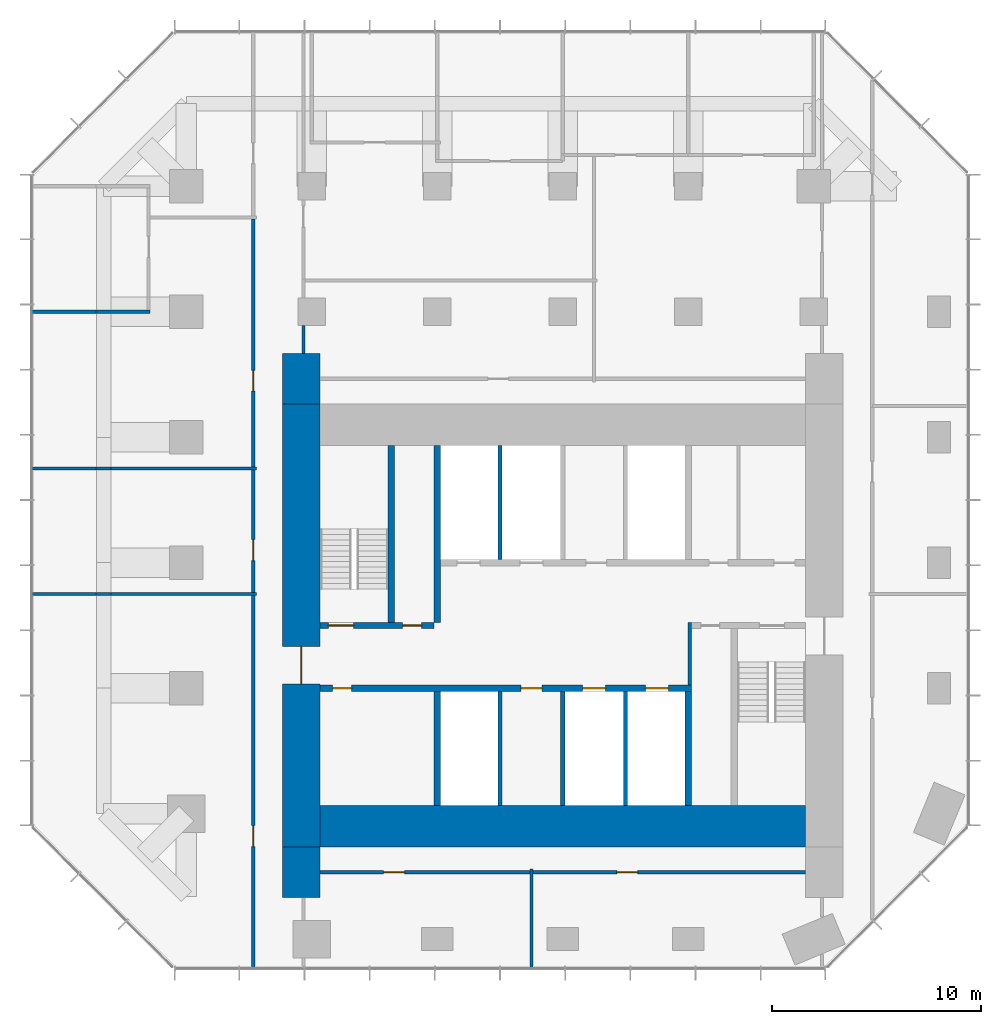
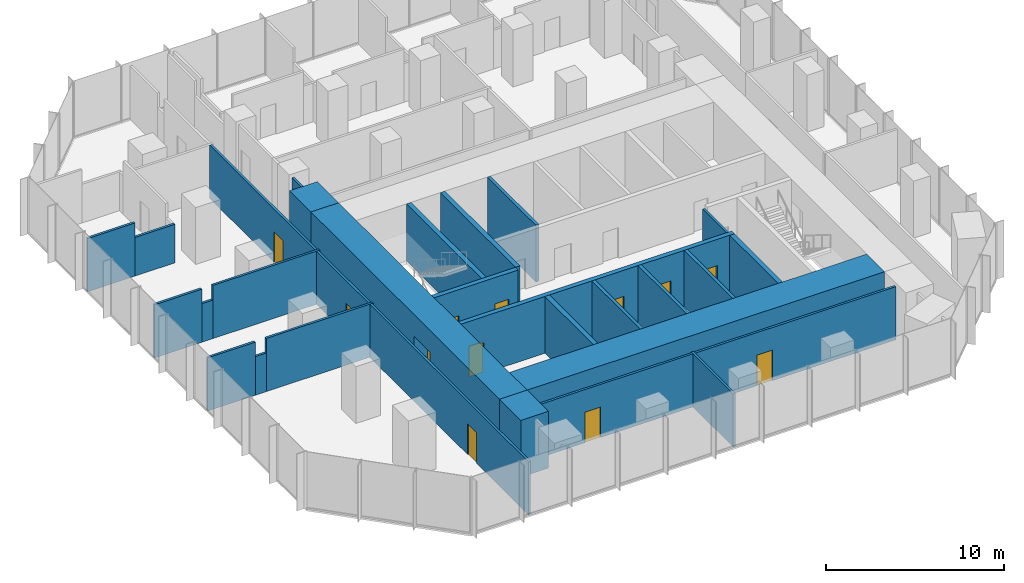
# One storey, part 8 of 11: 30 walls, 12 doors, 12 openings.
"""IFC4 building model written with IfcOpenShell, lengths in metres."""

import ifcopenshell
import ifcopenshell.guid

model = None  # the IFC model being written
_history = None  # IfcOwnerHistory: only IFC2X3 demands one
_inside = {}  # id of a spatial element -> (the spatial element, [elements in it])
_under = {}  # id of a project, library or spatial element -> (it, [spatial elements below it])
_declared = {}  # id of a project -> (the project, [libraries it declares])
_typed = {}  # id of a type object -> (the type object, [elements of that type])
_made_of = {}  # id of a material, layer set ... -> (it, [elements and type objects made of it])


def new_model(schema):
    """Start an empty IFC model of exactly this schema.

    Asked for "IFC4X3", IfcOpenShell would pick the latest addendum, in which some entities
    have other attributes; the version numbers below select the first issue.
    IFC2X3 requires an IfcOwnerHistory on every rooted entity: one is made here for all.
    """
    global model, _history
    if schema == "IFC4X3":
        model = ifcopenshell.file(schema_version=(4, 3, 0, 0))
    else:
        model = ifcopenshell.file(schema=schema)
    _inside.clear()
    _under.clear()
    _declared.clear()
    _typed.clear()
    _made_of.clear()
    _history = None
    if model.schema == "IFC2X3":
        org = make("IfcOrganization", Name="unknown")
        user = make(
            "IfcPersonAndOrganization",
            ThePerson=make("IfcPerson", FamilyName="unknown"),
            TheOrganization=org,
        )
        app = make(
            "IfcApplication",
            ApplicationDeveloper=org,
            Version="unknown",
            ApplicationFullName="unknown",
            ApplicationIdentifier="unknown",
        )
        _history = make(
            "IfcOwnerHistory",
            OwningUser=user,
            OwningApplication=app,
            ChangeAction="ADDED",
            CreationDate=0,
        )
    return model


def make(cls, **values):
    """One entity of the class cls with the attributes given. An attribute that is None is left unset."""
    return model.create_entity(
        cls, **{name: value for name, value in values.items() if value is not None}
    )


def rooted(cls, **values):
    """An entity with a GlobalId (a new one), such as an element, a storey or a relation."""
    return make(cls, GlobalId=ifcopenshell.guid.new(), OwnerHistory=_history, **values)


def si_unit(unit_type, name, prefix=None):
    """IfcSIUnit, for example si_unit("LENGTHUNIT", "METRE", prefix="MILLI")."""
    return make("IfcSIUnit", UnitType=unit_type, Prefix=prefix, Name=name)


def assignment(units):
    """IfcUnitAssignment: the units of a project."""
    return None if units is None else make("IfcUnitAssignment", Units=units)


def point(xyz):
    """IfcCartesianPoint."""
    return None if xyz is None else make("IfcCartesianPoint", Coordinates=xyz)


def direction(xyz):
    """IfcDirection."""
    return None if xyz is None else make("IfcDirection", DirectionRatios=xyz)


def frame(location, z_axis=None, x_axis=None):
    """IfcAxis2Placement3D, a coordinate frame: its origin and axes. An axis left out is left unset."""
    return make(
        "IfcAxis2Placement3D",
        Location=point(location),
        Axis=direction(z_axis),
        RefDirection=direction(x_axis),
    )


def frame_2d(location, x_axis=None):
    """IfcAxis2Placement2D, a coordinate frame in the plane: its origin and x axis."""
    return make(
        "IfcAxis2Placement2D", Location=point(location), RefDirection=direction(x_axis)
    )


def origin():
    """The frame at (0, 0, 0) with its axes left unset."""
    return frame((0.0, 0.0, 0.0))


def place(relative_to, where):
    """IfcLocalPlacement: puts the frame where relative to a parent placement (None: the world)."""
    return make(
        "IfcLocalPlacement", PlacementRelTo=relative_to, RelativePlacement=where
    )


def context(
    kind, dimensions, precision=None, world=None, true_north=None, identifier=None
):
    """IfcGeometricRepresentationContext, for example the 3D "Model" context."""
    return make(
        "IfcGeometricRepresentationContext",
        ContextIdentifier=identifier,
        ContextType=kind,
        CoordinateSpaceDimension=dimensions,
        Precision=precision,
        WorldCoordinateSystem=world,
        TrueNorth=true_north,
    )


def subcontext(parent, identifier, kind, view, scale=None):
    """IfcGeometricRepresentationSubContext, for example "Body" below "Model"."""
    return make(
        "IfcGeometricRepresentationSubContext",
        ContextIdentifier=identifier,
        ContextType=kind,
        ParentContext=parent,
        TargetScale=scale,
        TargetView=view,
    )


def project(units=None, contexts=None):
    """IfcProject with its units and contexts."""
    return rooted(
        "IfcProject",
        Name="project",
        RepresentationContexts=contexts,
        UnitsInContext=assignment(units),
    )


def spatial(cls, under=None, at=None, **own):
    """A site, building, storey or space (cls), placed at a placement, below another one or the project."""
    s = rooted(cls, ObjectPlacement=at, **own)
    if under is not None:
        _under.setdefault(under.id(), (under, []))[1].append(s)
    return s


def profile(cls, at=None, kind="AREA", **sizes):
    """A parametric profile (cls). Its sizes go by their IFC names, for example OverallWidth=200.0."""
    return make(cls, ProfileType=kind, Position=at, **sizes)


def rectangle(**sizes):
    """IfcRectangleProfileDef."""
    return profile("IfcRectangleProfileDef", **sizes)


def extrude(swept, where, along, depth):
    """IfcExtrudedAreaSolid: the profile swept, set in the frame where, extruded along a direction by depth."""
    return make(
        "IfcExtrudedAreaSolid",
        SweptArea=swept,
        Position=where,
        ExtrudedDirection=direction(along),
        Depth=depth,
    )


def shape(context_of_items, identifier, shape_type, items):
    """IfcShapeRepresentation: the items that make up one representation, for example the "Body"."""
    return make(
        "IfcShapeRepresentation",
        ContextOfItems=context_of_items,
        RepresentationIdentifier=identifier,
        RepresentationType=shape_type,
        Items=items,
    )


def material(Name=None, Category=None):
    """IfcMaterial."""
    return make("IfcMaterial", Name=Name, Category=Category)


def layer(
    of_material, thickness, ventilated=None, Name=None, Category=None, Priority=None
):
    """IfcMaterialLayer: one layer of a wall or slab, of a material (None: an air gap)."""
    return make(
        "IfcMaterialLayer",
        Material=of_material,
        LayerThickness=thickness,
        IsVentilated=ventilated,
        Name=Name,
        Category=Category,
        Priority=Priority,
    )


def layer_set(layers, Name=None):
    """IfcMaterialLayerSet."""
    return make("IfcMaterialLayerSet", MaterialLayers=layers, LayerSetName=Name)


def made_of(thing, what):
    """Note that an element or type object is made of a material, layer set ...; save() writes the relation."""
    if what is not None:
        _made_of.setdefault(what.id(), (what, []))[1].append(thing)
    return thing


def type_object(cls, material=None, **own):
    """A type object (cls), such as IfcWallType, which elements share."""
    return made_of(rooted(cls, **own), material)


def element(
    cls,
    number,
    at=None,
    inside=None,
    cuts=None,
    type_object=None,
    material=None,
    context=None,
    identifier="Body",
    shape_type=None,
    held_by="IfcProductDefinitionShape",
    body=None,
    shapes=None,
    **own,
):
    """One element of the class cls, such as IfcWall. Its Tag is "e" and its number.

    at: its placement. inside: the storey or other place that contains it. cuts: it is an
    opening in that element (IfcRelVoidsElement). A single representation is given by context,
    identifier, shape_type and body (its items); several are given by shapes. held_by: the class
    of the entity that holds the representations. save() writes the other relations.
    """
    e = rooted(cls, Tag="e%d" % number, ObjectPlacement=at, **own)
    if body is not None:
        shapes = [shape(context, identifier, shape_type, body)]
    if shapes is not None:
        e.Representation = make(held_by, Representations=shapes)
    if inside is not None:
        _inside.setdefault(inside.id(), (inside, []))[1].append(e)
    if cuts is not None:
        rooted(
            "IfcRelVoidsElement", RelatingBuildingElement=cuts, RelatedOpeningElement=e
        )
    if type_object is not None:
        _typed.setdefault(type_object.id(), (type_object, []))[1].append(e)
    return made_of(e, material)


def fill(opening, filler):
    """IfcRelFillsElement: the door or window that sits in an opening."""
    return rooted(
        "IfcRelFillsElement",
        RelatingOpeningElement=opening,
        RelatedBuildingElement=filler,
    )


def aggregate(whole, parts):
    """IfcRelAggregates: a whole, such as a stair, and the parts it consists of."""
    return rooted("IfcRelAggregates", RelatingObject=whole, RelatedObjects=parts)


def save(model, path):
    """Write the relations noted so far, then the file.

    IfcRelAggregates (storeys below a building ...), IfcRelContainedInSpatialStructure (elements
    in a storey), IfcRelDefinesByType, IfcRelAssociatesMaterial and IfcRelDeclares: one each for
    every whole, place, type object, material and project.
    """
    for whole, parts in _under.values():
        aggregate(whole, parts)
    for where, things in _inside.values():
        rooted(
            "IfcRelContainedInSpatialStructure",
            RelatedElements=things,
            RelatingStructure=where,
        )
    for kind, things in _typed.values():
        rooted("IfcRelDefinesByType", RelatedObjects=things, RelatingType=kind)
    for what, things in _made_of.values():
        rooted("IfcRelAssociatesMaterial", RelatedObjects=things, RelatingMaterial=what)
    for by, libraries in _declared.values():
        rooted("IfcRelDeclares", RelatingContext=by, RelatedDefinitions=libraries)
    model.write(path)


model = new_model("IFC4")

# Units and contexts
model_context = context("Model", 3, precision=1e-05, world=origin(), true_north=direction((0.0, 1.0)))
body_context = subcontext(model_context, "Body", "Model", "MODEL_VIEW")
ifc_project = project(units=[si_unit("LENGTHUNIT", "METRE"), si_unit("AREAUNIT", "SQUARE_METRE"), si_unit("VOLUMEUNIT", "CUBIC_METRE"), si_unit("PLANEANGLEUNIT", "RADIAN"), si_unit("MASSUNIT", "GRAM", prefix="KILO")], contexts=[model_context])

# Site, building, storey
site_placement = place(None, origin())
site = spatial("IfcSite", under=ifc_project, at=site_placement, CompositionType="ELEMENT")
building_placement = place(site_placement, origin())
building = spatial("IfcBuilding", under=site, at=building_placement, Name="Highveld Stack Headquarters", CompositionType="ELEMENT")
storey_placement = place(building_placement, frame((0.0, 0.0, 192.800048828125)))
storey = spatial("IfcBuildingStorey", under=building, at=storey_placement, Name="L47", CompositionType="ELEMENT", Elevation=192.800048828125)

# Wall, opening, door
ifc_material_1 = material(Name="Concrete C60/75", Category="concrete")
ifc_layer_1 = layer(ifc_material_1, 1.800048828125)
ifc_layer_set_1 = layer_set([ifc_layer_1], Name="Concrete C60/75")
wall_type_1 = type_object("IfcWallType", Name="CORE WALL 1800 C60/75", PredefinedType="SHEAR", material=ifc_layer_set_1)
wall_1_placement = place(storey_placement, frame((-6.5, -7.60009765625, 0.0), z_axis=(0.0, 0.0, 1.0), x_axis=(0.0, 1.0, 0.0)))
wall_1 = element("IfcWall", 1, at=wall_1_placement, inside=storey, type_object=wall_type_1, Name="Core wall W L47", PredefinedType="SHEAR", context=body_context, shape_type="SweptSolid", body=[
    extrude(rectangle(XDim=21.2001953125, YDim=1.800048828125, at=frame_2d((10.60009765625, 0.0))), origin(), (0.0, 0.0, 1.0), 3.89990234375),
])
opening_1_placement = place(wall_1_placement, frame((7.800048828125, 0.0, 0.0)))
opening_1 = element("IfcOpeningElement", 2, at=opening_1_placement, cuts=wall_1, Name="Opening L47-01", PredefinedType="OPENING", context=body_context, shape_type="SweptSolid", body=[
    extrude(rectangle(XDim=1.800048828125, YDim=2.39990234375, at=frame_2d((0.89990234375, 1.199951171875))), frame((0.0, 0.909912109375, 0.0), z_axis=(0.0, -1.0, 0.0), x_axis=(1.0, 0.0, 0.0)), (0.0, 0.0, 1.0), 1.820068359375),
])
ifc_material_2 = material(Name="Steel fire door", Category="steel")
door_type_1 = type_object("IfcDoorType", Name="LOBBY FIRE DOOR D4 1800x2400", OperationType="DOUBLE_DOOR_SINGLE_SWING", PredefinedType="DOOR", material=ifc_material_2)
door_1_placement = place(opening_1_placement, origin())
door_1 = element("IfcDoor", 3, at=door_1_placement, inside=storey, type_object=door_type_1, Name="Core west door L47", OperationType="DOUBLE_DOOR_SINGLE_SWING", OverallHeight=2.39990234375, OverallWidth=1.800048828125, PredefinedType="DOOR", context=body_context, shape_type="SweptSolid", body=[
    extrude(rectangle(XDim=1.800048828125, YDim=2.39990234375, at=frame_2d((0.89990234375, 1.199951171875))), frame((0.0, 0.02490234375, 0.0), z_axis=(0.0, -1.0, 0.0), x_axis=(1.0, 0.0, 0.0)), (0.0, 0.0, 1.0), 0.050048828125),
])
fill(opening_1, door_1)

# Wall
ifc_material_3 = material(Name="Concrete C60/75", Category="concrete")
ifc_layer_2 = layer(ifc_material_3, 2.0)
ifc_layer_set_2 = layer_set([ifc_layer_2], Name="Concrete C60/75")
wall_type_2 = type_object("IfcWallType", Name="CORE WALL 2000 C60/75", PredefinedType="SHEAR", material=ifc_layer_set_2)
wall_2_placement = place(storey_placement, frame((-5.60009765625, -6.60009765625, 0.0), z_axis=(0.0, 0.0, 1.0), x_axis=(1.0, 0.0, 0.0)))
element("IfcWall", 4, at=wall_2_placement, inside=storey, type_object=wall_type_2, Name="Core wall S L47", PredefinedType="SHEAR", context=body_context, shape_type="SweptSolid", body=[
    extrude(rectangle(XDim=23.2001953125, YDim=2.0, at=frame_2d((11.60009765625, 0.0))), origin(), (0.0, 0.0, 1.0), 3.89990234375),
])

# Wall, openings, doors
ifc_material_4 = material(Name="Concrete C60/75", Category="concrete")
ifc_layer_3 = layer(ifc_material_4, 0.300048828125)
ifc_layer_set_3 = layer_set([ifc_layer_3], Name="Concrete C60/75")
wall_type_3 = type_object("IfcWallType", Name="CORE WALL 300 C60/75", PredefinedType="SHEAR", material=ifc_layer_set_3)
wall_3_placement = place(storey_placement, frame((-5.60009765625, 0.0, 0.0), z_axis=(0.0, 0.0, 1.0), x_axis=(1.0, 0.0, 0.0)))
wall_3 = element("IfcWall", 5, at=wall_3_placement, inside=storey, type_object=wall_type_3, Name="Core wall I-Y0 L47", PredefinedType="SHEAR", context=body_context, shape_type="SweptSolid", body=[
    extrude(rectangle(XDim=17.75, YDim=0.300048828125, at=frame_2d((8.875, 0.0))), origin(), (0.0, 0.0, 1.0), 3.89990234375),
])
opening_2_placement = place(wall_3_placement, frame((0.60009765625, 0.0, 0.0)))
opening_2 = element("IfcOpeningElement", 6, at=opening_2_placement, cuts=wall_3, Name="Opening L47-07", PredefinedType="OPENING", context=body_context, shape_type="SweptSolid", body=[
    extrude(rectangle(XDim=0.89990234375, YDim=2.10009765625, at=frame_2d((0.449951171875, 1.050048828125))), frame((0.0, 0.159912109375, 0.0), z_axis=(0.0, -1.0, 0.0), x_axis=(1.0, 0.0, 0.0)), (0.0, 0.0, 1.0), 0.320068359375),
])
opening_3_placement = place(wall_3_placement, frame((9.60009765625, 0.0, 0.0)))
opening_3 = element("IfcOpeningElement", 7, at=opening_3_placement, cuts=wall_3, Name="Opening L47-11", PredefinedType="OPENING", context=body_context, shape_type="SweptSolid", body=[
    extrude(rectangle(XDim=1.0, YDim=2.10009765625, at=frame_2d((0.5, 1.050048828125))), frame((0.0, 0.159912109375, 0.0), z_axis=(0.0, -1.0, 0.0), x_axis=(1.0, 0.0, 0.0)), (0.0, 0.0, 1.0), 0.320068359375),
])
opening_4_placement = place(wall_3_placement, frame((12.550048828125, 0.0, 0.0)))
opening_4 = element("IfcOpeningElement", 8, at=opening_4_placement, cuts=wall_3, Name="Opening LD", PredefinedType="OPENING", context=body_context, shape_type="SweptSolid", body=[
    extrude(rectangle(XDim=1.10009765625, YDim=2.10009765625, at=frame_2d((0.550048828125, 1.050048828125))), frame((0.0, 0.159912109375, 0.0), z_axis=(0.0, -1.0, 0.0), x_axis=(1.0, 0.0, 0.0)), (0.0, 0.0, 1.0), 0.320068359375),
])
opening_5_placement = place(wall_3_placement, frame((15.550048828125, 0.0, 0.0)))
opening_5 = element("IfcOpeningElement", 9, at=opening_5_placement, cuts=wall_3, Name="Opening LD", PredefinedType="OPENING", context=body_context, shape_type="SweptSolid", body=[
    extrude(rectangle(XDim=1.10009765625, YDim=2.10009765625, at=frame_2d((0.550048828125, 1.050048828125))), frame((0.0, 0.159912109375, 0.0), z_axis=(0.0, -1.0, 0.0), x_axis=(1.0, 0.0, 0.0)), (0.0, 0.0, 1.0), 0.320068359375),
])
ifc_material_5 = material(Name="Steel fire door", Category="steel")
door_type_2 = type_object("IfcDoorType", Name="CORE ROOM FIRE DOOR D14 1000x2100", OperationType="SINGLE_SWING_LEFT", PredefinedType="DOOR", material=ifc_material_5)
door_2_placement = place(opening_3_placement, origin())
door_2 = element("IfcDoor", 10, at=door_2_placement, inside=storey, type_object=door_type_2, Name="Capped B 1 door L47", OperationType="SINGLE_SWING_RIGHT", OverallHeight=2.10009765625, OverallWidth=1.0, PredefinedType="DOOR", context=body_context, shape_type="SweptSolid", body=[
    extrude(rectangle(XDim=1.0, YDim=2.10009765625, at=frame_2d((0.5, 1.050048828125))), frame((0.0, 0.02490234375, 0.0), z_axis=(0.0, -1.0, 0.0), x_axis=(1.0, 0.0, 0.0)), (0.0, 0.0, 1.0), 0.050048828125),
])
fill(opening_3, door_2)
ifc_material_6 = material(Name="Stainless steel lift landing door", Category="steel")
door_type_3 = type_object("IfcDoorType", Name="LIFT LANDING DOOR LD 1100x2100", OperationType="DOUBLE_DOOR_SLIDING", PredefinedType="USERDEFINED", material=ifc_material_6)
door_3_placement = place(opening_4_placement, origin())
door_3 = element("IfcDoor", 11, at=door_3_placement, inside=storey, type_object=door_type_3, Name="Lift landing door C1 L47", ObjectType="LIFT LANDING DOOR", OperationType="DOUBLE_DOOR_SLIDING", OverallHeight=2.10009765625, OverallWidth=1.10009765625, PredefinedType="USERDEFINED", context=body_context, shape_type="SweptSolid", body=[
    extrude(rectangle(XDim=1.10009765625, YDim=2.10009765625, at=frame_2d((0.550048828125, 1.050048828125))), frame((0.0, 0.02490234375, 0.0), z_axis=(0.0, -1.0, 0.0), x_axis=(1.0, 0.0, 0.0)), (0.0, 0.0, 1.0), 0.050048828125),
])
fill(opening_4, door_3)
door_4_placement = place(opening_5_placement, origin())
door_4 = element("IfcDoor", 12, at=door_4_placement, inside=storey, type_object=door_type_3, Name="Lift landing door C2 L47", ObjectType="LIFT LANDING DOOR", OperationType="DOUBLE_DOOR_SLIDING", OverallHeight=2.10009765625, OverallWidth=1.10009765625, PredefinedType="USERDEFINED", context=body_context, shape_type="SweptSolid", body=[
    extrude(rectangle(XDim=1.10009765625, YDim=2.10009765625, at=frame_2d((0.550048828125, 1.050048828125))), frame((0.0, 0.02490234375, 0.0), z_axis=(0.0, -1.0, 0.0), x_axis=(1.0, 0.0, 0.0)), (0.0, 0.0, 1.0), 0.050048828125),
])
fill(opening_5, door_4)
ifc_material_7 = material(Name="Timber door, painted", Category="wood")
door_type_4 = type_object("IfcDoorType", Name="WC DOOR D1 900x2100", OperationType="SINGLE_SWING_LEFT", PredefinedType="DOOR", material=ifc_material_7)
door_5_placement = place(opening_2_placement, origin())
door_5 = element("IfcDoor", 13, at=door_5_placement, inside=storey, type_object=door_type_4, Name="Female WC door L47", OperationType="SINGLE_SWING_LEFT", OverallHeight=2.10009765625, OverallWidth=0.89990234375, PredefinedType="DOOR", context=body_context, shape_type="SweptSolid", body=[
    extrude(rectangle(XDim=0.89990234375, YDim=2.10009765625, at=frame_2d((0.449951171875, 1.050048828125))), frame((0.0, 0.02490234375, 0.0), z_axis=(0.0, -1.0, 0.0), x_axis=(1.0, 0.0, 0.0)), (0.0, 0.0, 1.0), 0.050048828125),
])
fill(opening_2, door_5)

wall_4_placement = place(storey_placement, frame((-5.60009765625, 3.0, 0.0), z_axis=(0.0, 0.0, 1.0), x_axis=(1.0, 0.0, 0.0)))
wall_4 = element("IfcWall", 14, at=wall_4_placement, inside=storey, type_object=wall_type_3, Name="Core wall I-Y3W L47", PredefinedType="SHEAR", context=body_context, shape_type="SweptSolid", body=[
    extrude(rectangle(XDim=5.4501953125, YDim=0.300048828125, at=frame_2d((2.72509765625, 0.0))), origin(), (0.0, 0.0, 1.0), 3.89990234375),
])
opening_6_placement = place(wall_4_placement, frame((0.39990234375, 0.0, 0.0)))
opening_6 = element("IfcOpeningElement", 15, at=opening_6_placement, cuts=wall_4, Name="Opening L47-03", PredefinedType="OPENING", context=body_context, shape_type="SweptSolid", body=[
    extrude(rectangle(XDim=1.199951171875, YDim=2.10009765625, at=frame_2d((0.60009765625, 1.050048828125))), frame((0.0, 0.159912109375, 0.0), z_axis=(0.0, -1.0, 0.0), x_axis=(1.0, 0.0, 0.0)), (0.0, 0.0, 1.0), 0.320068359375),
])
opening_7_placement = place(wall_4_placement, frame((3.949951171875, 0.0, 0.0)))
opening_7 = element("IfcOpeningElement", 16, at=opening_7_placement, cuts=wall_4, Name="Opening L47-04", PredefinedType="OPENING", context=body_context, shape_type="SweptSolid", body=[
    extrude(rectangle(XDim=0.89990234375, YDim=2.10009765625, at=frame_2d((0.449951171875, 1.050048828125))), frame((0.0, 0.159912109375, 0.0), z_axis=(0.0, -1.0, 0.0), x_axis=(1.0, 0.0, 0.0)), (0.0, 0.0, 1.0), 0.320068359375),
])
ifc_material_8 = material(Name="Steel fire door", Category="steel")
door_type_5 = type_object("IfcDoorType", Name="RISER ACCESS DOOR D5 900x2100", OperationType="SINGLE_SWING_LEFT", PredefinedType="DOOR", material=ifc_material_8)
door_6_placement = place(opening_7_placement, origin())
door_6 = element("IfcDoor", 17, at=door_6_placement, inside=storey, type_object=door_type_5, Name="Riser R1 door L47", OperationType="SINGLE_SWING_RIGHT", OverallHeight=2.10009765625, OverallWidth=0.89990234375, PredefinedType="DOOR", context=body_context, shape_type="SweptSolid", body=[
    extrude(rectangle(XDim=0.89990234375, YDim=2.10009765625, at=frame_2d((0.449951171875, 1.050048828125))), frame((0.0, 0.02490234375, 0.0), z_axis=(0.0, -1.0, 0.0), x_axis=(1.0, 0.0, 0.0)), (0.0, 0.0, 1.0), 0.050048828125),
])
fill(opening_7, door_6)
ifc_material_9 = material(Name="Steel fire door", Category="steel")
door_type_6 = type_object("IfcDoorType", Name="STAIR FIRE DOOR D3 1200x2100", OperationType="SINGLE_SWING_LEFT", PredefinedType="DOOR", material=ifc_material_9)
door_7_placement = place(opening_6_placement, origin())
door_7 = element("IfcDoor", 18, at=door_7_placement, inside=storey, type_object=door_type_6, Name="Stair S1 door L47", OperationType="SINGLE_SWING_LEFT", OverallHeight=2.10009765625, OverallWidth=1.199951171875, PredefinedType="DOOR", context=body_context, shape_type="SweptSolid", body=[
    extrude(rectangle(XDim=1.199951171875, YDim=2.10009765625, at=frame_2d((0.60009765625, 1.050048828125))), frame((0.0, 0.02490234375, 0.0), z_axis=(0.0, -1.0, 0.0), x_axis=(1.0, 0.0, 0.0)), (0.0, 0.0, 1.0), 0.050048828125),
])
fill(opening_6, door_7)

# Walls
wall_5_placement = place(storey_placement, frame((0.0, -5.60009765625, 0.0), z_axis=(0.0, 0.0, 1.0), x_axis=(0.0, 1.0, 0.0)))
element("IfcWall", 19, at=wall_5_placement, inside=storey, type_object=wall_type_3, Name="Core wall I-X0S L47", PredefinedType="SHEAR", context=body_context, shape_type="SweptSolid", body=[
    extrude(rectangle(XDim=5.4501953125, YDim=0.300048828125, at=frame_2d((2.72509765625, 0.0))), origin(), (0.0, 0.0, 1.0), 3.89990234375),
])
wall_6_placement = place(storey_placement, frame((0.0, 3.14990234375, 0.0), z_axis=(0.0, 0.0, 1.0), x_axis=(0.0, 1.0, 0.0)))
element("IfcWall", 20, at=wall_6_placement, inside=storey, type_object=wall_type_3, Name="Core wall I-X0N L47", PredefinedType="SHEAR", context=body_context, shape_type="SweptSolid", body=[
    extrude(rectangle(XDim=8.4501953125, YDim=0.300048828125, at=frame_2d((4.22509765625, 0.0))), origin(), (0.0, 0.0, 1.0), 3.89990234375),
])
wall_7_placement = place(storey_placement, frame((12.0, -5.60009765625, 0.0), z_axis=(0.0, 0.0, 1.0), x_axis=(0.0, 1.0, 0.0)))
element("IfcWall", 21, at=wall_7_placement, inside=storey, type_object=wall_type_3, Name="Core wall I-X12S L47", PredefinedType="SHEAR", context=body_context, shape_type="SweptSolid", body=[
    extrude(rectangle(XDim=5.4501953125, YDim=0.300048828125, at=frame_2d((2.72509765625, 0.0))), origin(), (0.0, 0.0, 1.0), 3.89990234375),
])
wall_8_placement = place(storey_placement, frame((-2.199951171875, 3.14990234375, 0.0), z_axis=(0.0, 0.0, 1.0), x_axis=(0.0, 1.0, 0.0)))
element("IfcWall", 22, at=wall_8_placement, inside=storey, type_object=wall_type_3, Name="Core wall I-RW L47", PredefinedType="SHEAR", context=body_context, shape_type="SweptSolid", body=[
    extrude(rectangle(XDim=8.4501953125, YDim=0.300048828125, at=frame_2d((4.22509765625, 0.0))), origin(), (0.0, 0.0, 1.0), 3.89990234375),
])
ifc_material_10 = material(Name="Concrete C60/75", Category="concrete")
ifc_layer_4 = layer(ifc_material_10, 1.800048828125)
ifc_layer_set_4 = layer_set([ifc_layer_4], Name="Concrete C60/75")
wall_type_4 = type_object("IfcWallType", Name="CORE WING WALL 1800 C60/75", PredefinedType="SHEAR", material=ifc_layer_set_4)
for number, where, z_axis, x_axis, name in (
    (23, (-6.5, -10.0, 0.0), (0.0, 0.0, 1.0), (0.0, 1.0, 0.0), "Core wing wall WS L47"),
    (24, (-6.5, 13.60009765625, 0.0), (0.0, 0.0, 1.0), (0.0, 1.0, 0.0), "Core wing wall WN L47"),
):
    element("IfcWall", number, at=place(storey_placement, frame(where, z_axis=z_axis, x_axis=x_axis)), inside=storey, type_object=wall_type_4, Name=name, PredefinedType="SHEAR", context=body_context, shape_type="SweptSolid", body=[
        extrude(rectangle(XDim=2.39990234375, YDim=1.800048828125, at=frame_2d((1.199951171875, 0.0))), origin(), (0.0, 0.0, 1.0), 3.89990234375),
    ])
ifc_material_11 = material(Name="Concrete blockwork, plastered", Category="masonry")
ifc_layer_5 = layer(ifc_material_11, 0.14990234375)
ifc_layer_set_5 = layer_set([ifc_layer_5], Name="Concrete blockwork, plastered")
wall_type_5 = type_object("IfcWallType", Name="FIRE PARTITION 150 BLOCKWORK", PredefinedType="PARTITIONING", material=ifc_layer_set_5)
wall_9_placement = place(storey_placement, frame((12.074951171875, 0.14990234375, 0.0), z_axis=(0.0, 0.0, 1.0), x_axis=(0.0, 1.0, 0.0)))
element("IfcWall", 25, at=wall_9_placement, inside=storey, type_object=wall_type_5, Name="Riser R2 enclosure L47", PredefinedType="PARTITIONING", context=body_context, shape_type="SweptSolid", body=[
    extrude(rectangle(XDim=3.0, YDim=0.14990234375, at=frame_2d((1.5, 0.0))), origin(), (0.0, 0.0, 1.0), 3.64990234375),
])
ifc_material_12 = material(Name="Concrete blockwork, fair-faced", Category="masonry")
ifc_layer_6 = layer(ifc_material_12, 0.199951171875)
ifc_layer_set_6 = layer_set([ifc_layer_6], Name="Concrete blockwork, fair-faced")
wall_type_6 = type_object("IfcWallType", Name="LIFT SHAFT ENCLOSURE WALL 200 BLOCKWORK", PredefinedType="SOLIDWALL", material=ifc_layer_set_6)
for number, where, z_axis, x_axis, name in (
    (26, (3.0, 6.14990234375, 0.0), (0.0, 0.0, 1.0), (0.0, 1.0, 0.0), "Lift shaft wall L47"),
    (27, (3.0, -5.60009765625, 0.0), (0.0, 0.0, 1.0), (0.0, 1.0, 0.0), "Lift shaft wall L47"),
    (28, (6.0, -5.60009765625, 0.0), (0.0, 0.0, 1.0), (0.0, 1.0, 0.0), "Lift shaft wall L47"),
    (29, (9.0, -5.60009765625, 0.0), (0.0, 0.0, 1.0), (0.0, 1.0, 0.0), "Lift shaft wall L47"),
):
    element("IfcWall", number, at=place(storey_placement, frame(where, z_axis=z_axis, x_axis=x_axis)), inside=storey, type_object=wall_type_6, Name=name, PredefinedType="SOLIDWALL", context=body_context, shape_type="SweptSolid", body=[
        extrude(rectangle(XDim=5.4501953125, YDim=0.199951171875, at=frame_2d((2.72509765625, 0.0))), origin(), (0.0, 0.0, 1.0), 3.89990234375),
    ])
ifc_material_13 = material(Name="Gypsum plasterboard on steel studs", Category="steel")
ifc_layer_7 = layer(ifc_material_13, 0.14990234375)
ifc_layer_set_7 = layer_set([ifc_layer_7], Name="Gypsum plasterboard on steel studs")
wall_type_7 = type_object("IfcWallType", Name="PARTITION 150 PLASTERBOARD", PredefinedType="PARTITIONING", material=ifc_layer_set_7)
wall_10_placement = place(storey_placement, frame((-19.39990234375, 18.0, 0.0), z_axis=(0.0, 0.0, 1.0), x_axis=(1.0, 0.0, 0.0)))
element("IfcWall", 30, at=wall_10_placement, inside=storey, type_object=wall_type_7, Name="Partition Print room L47", PredefinedType="PARTITIONING", context=body_context, shape_type="SweptSolid", body=[
    extrude(rectangle(XDim=3.08984375, YDim=0.14990234375, at=frame_2d((1.544921875, 0.0))), origin(), (0.0, 0.0, 1.0), 3.64990234375),
])
wall_11_placement = place(storey_placement, frame((-16.31005859375, 18.0, 0.0), z_axis=(0.0, 0.0, 1.0), x_axis=(1.0, 0.0, 0.0)))
element("IfcWall", 31, at=wall_11_placement, inside=storey, type_object=wall_type_7, Name="Partition Print room L47", PredefinedType="PARTITIONING", context=body_context, shape_type="SweptSolid", body=[
    extrude(rectangle(XDim=2.5849609375, YDim=0.14990234375, at=frame_2d((1.29248046875, 0.0))), origin(), (0.0, 0.0, 1.0), 2.64990234375),
])
wall_12_placement = place(storey_placement, frame((-19.39990234375, 4.5, 0.0), z_axis=(0.0, 0.0, 1.0), x_axis=(1.0, 0.0, 0.0)))
element("IfcWall", 32, at=wall_12_placement, inside=storey, type_object=wall_type_7, Name="Partition office neighbourhood L47", PredefinedType="PARTITIONING", context=body_context, shape_type="SweptSolid", body=[
    extrude(rectangle(XDim=3.08984375, YDim=0.14990234375, at=frame_2d((1.544921875, 0.0))), origin(), (0.0, 0.0, 1.0), 3.64990234375),
])
wall_13_placement = place(storey_placement, frame((-16.31005859375, 4.5, 0.0), z_axis=(0.0, 0.0, 1.0), x_axis=(1.0, 0.0, 0.0)))
element("IfcWall", 33, at=wall_13_placement, inside=storey, type_object=wall_type_7, Name="Partition office neighbourhood L47", PredefinedType="PARTITIONING", context=body_context, shape_type="SweptSolid", body=[
    extrude(rectangle(XDim=0.719970703125, YDim=0.14990234375, at=frame_2d((0.35986328125, 0.0))), origin(), (0.0, 0.0, 1.0), 2.64990234375),
])
wall_14_placement = place(storey_placement, frame((-15.590087890625, 4.5, 0.0), z_axis=(0.0, 0.0, 1.0), x_axis=(1.0, 0.0, 0.0)))
element("IfcWall", 34, at=wall_14_placement, inside=storey, type_object=wall_type_7, Name="Partition office neighbourhood L47", PredefinedType="PARTITIONING", context=body_context, shape_type="SweptSolid", body=[
    extrude(rectangle(XDim=6.940185546875, YDim=0.14990234375, at=frame_2d((3.47021484375, 0.0))), origin(), (0.0, 0.0, 1.0), 3.64990234375),
])
wall_15_placement = place(storey_placement, frame((-19.39990234375, 10.5, 0.0), z_axis=(0.0, 0.0, 1.0), x_axis=(1.0, 0.0, 0.0)))
element("IfcWall", 35, at=wall_15_placement, inside=storey, type_object=wall_type_7, Name="Partition office neighbourhood L47", PredefinedType="PARTITIONING", context=body_context, shape_type="SweptSolid", body=[
    extrude(rectangle(XDim=3.08984375, YDim=0.14990234375, at=frame_2d((1.544921875, 0.0))), origin(), (0.0, 0.0, 1.0), 3.64990234375),
])
wall_16_placement = place(storey_placement, frame((-16.31005859375, 10.5, 0.0), z_axis=(0.0, 0.0, 1.0), x_axis=(1.0, 0.0, 0.0)))
element("IfcWall", 36, at=wall_16_placement, inside=storey, type_object=wall_type_7, Name="Partition office neighbourhood L47", PredefinedType="PARTITIONING", context=body_context, shape_type="SweptSolid", body=[
    extrude(rectangle(XDim=0.719970703125, YDim=0.14990234375, at=frame_2d((0.35986328125, 0.0))), origin(), (0.0, 0.0, 1.0), 2.64990234375),
])
wall_17_placement = place(storey_placement, frame((-15.590087890625, 10.5, 0.0), z_axis=(0.0, 0.0, 1.0), x_axis=(1.0, 0.0, 0.0)))
element("IfcWall", 37, at=wall_17_placement, inside=storey, type_object=wall_type_7, Name="Partition office neighbourhood L47", PredefinedType="PARTITIONING", context=body_context, shape_type="SweptSolid", body=[
    extrude(rectangle(XDim=6.940185546875, YDim=0.14990234375, at=frame_2d((3.47021484375, 0.0))), origin(), (0.0, 0.0, 1.0), 3.64990234375),
])

# Wall, opening, door
wall_18_placement = place(storey_placement, frame((-8.800048828125, -13.39990234375, 0.0), z_axis=(0.0, 0.0, 1.0), x_axis=(0.0, 1.0, 0.0)))
wall_18 = element("IfcWall", 38, at=wall_18_placement, inside=storey, type_object=wall_type_7, Name="Partition office neighbourhood L47", PredefinedType="PARTITIONING", context=body_context, shape_type="SweptSolid", body=[
    extrude(rectangle(XDim=17.824951171875, YDim=0.14990234375, at=frame_2d((8.91259765625, 0.0))), origin(), (0.0, 0.0, 1.0), 3.64990234375),
])
opening_8_placement = place(wall_18_placement, frame((5.830078125, 0.0, 0.0)))
opening_8 = element("IfcOpeningElement", 39, at=opening_8_placement, cuts=wall_18, Name="Opening L47-19", PredefinedType="OPENING", context=body_context, shape_type="SweptSolid", body=[
    extrude(rectangle(XDim=1.0, YDim=2.10009765625, at=frame_2d((0.5, 1.050048828125))), frame((0.0, 0.0849609375, 0.0), z_axis=(0.0, -1.0, 0.0), x_axis=(1.0, 0.0, 0.0)), (0.0, 0.0, 1.0), 0.169921875),
])
ifc_material_14 = material(Name="Timber door, oiled ash", Category="wood")
door_type_7 = type_object("IfcDoorType", Name="ROOM DOOR D6 1000x2100", OperationType="SINGLE_SWING_LEFT", PredefinedType="DOOR", material=ifc_material_14)
door_8_placement = place(opening_8_placement, origin())
door_8 = element("IfcDoor", 40, at=door_8_placement, inside=storey, type_object=door_type_7, Name="Office neighbourhood door L47", OperationType="SINGLE_SWING_LEFT", OverallHeight=2.10009765625, OverallWidth=1.0, PredefinedType="DOOR", context=body_context, shape_type="SweptSolid", body=[
    extrude(rectangle(XDim=1.0, YDim=2.10009765625, at=frame_2d((0.5, 1.050048828125))), frame((0.0, 0.02490234375, 0.0), z_axis=(0.0, -1.0, 0.0), x_axis=(1.0, 0.0, 0.0)), (0.0, 0.0, 1.0), 0.050048828125),
])
fill(opening_8, door_8)

wall_19_placement = place(storey_placement, frame((-8.800048828125, 4.574951171875, 0.0), z_axis=(0.0, 0.0, 1.0), x_axis=(0.0, 1.0, 0.0)))
wall_19 = element("IfcWall", 41, at=wall_19_placement, inside=storey, type_object=wall_type_7, Name="Partition office neighbourhood L47", PredefinedType="PARTITIONING", context=body_context, shape_type="SweptSolid", body=[
    extrude(rectangle(XDim=5.85009765625, YDim=0.14990234375, at=frame_2d((2.925048828125, 0.0))), origin(), (0.0, 0.0, 1.0), 3.64990234375),
])
opening_9_placement = place(wall_19_placement, frame((1.52490234375, 0.0, 0.0)))
opening_9 = element("IfcOpeningElement", 42, at=opening_9_placement, cuts=wall_19, Name="Opening L47-21", PredefinedType="OPENING", context=body_context, shape_type="SweptSolid", body=[
    extrude(rectangle(XDim=1.0, YDim=2.10009765625, at=frame_2d((0.5, 1.050048828125))), frame((0.0, 0.0849609375, 0.0), z_axis=(0.0, -1.0, 0.0), x_axis=(1.0, 0.0, 0.0)), (0.0, 0.0, 1.0), 0.169921875),
])
door_9_placement = place(opening_9_placement, origin())
door_9 = element("IfcDoor", 43, at=door_9_placement, inside=storey, type_object=door_type_7, Name="Office neighbourhood door L47", OperationType="SINGLE_SWING_LEFT", OverallHeight=2.10009765625, OverallWidth=1.0, PredefinedType="DOOR", context=body_context, shape_type="SweptSolid", body=[
    extrude(rectangle(XDim=1.0, YDim=2.10009765625, at=frame_2d((0.5, 1.050048828125))), frame((0.0, 0.02490234375, 0.0), z_axis=(0.0, -1.0, 0.0), x_axis=(1.0, 0.0, 0.0)), (0.0, 0.0, 1.0), 0.050048828125),
])
fill(opening_9, door_9)

wall_20_placement = place(storey_placement, frame((-8.800048828125, 10.574951171875, 0.0), z_axis=(0.0, 0.0, 1.0), x_axis=(0.0, 1.0, 0.0)))
wall_20 = element("IfcWall", 44, at=wall_20_placement, inside=storey, type_object=wall_type_7, Name="Partition office neighbourhood L47", PredefinedType="PARTITIONING", context=body_context, shape_type="SweptSolid", body=[
    extrude(rectangle(XDim=11.85009765625, YDim=0.14990234375, at=frame_2d((5.925048828125, 0.0))), origin(), (0.0, 0.0, 1.0), 3.64990234375),
])
opening_10_placement = place(wall_20_placement, frame((3.625, 0.0, 0.0)))
opening_10 = element("IfcOpeningElement", 45, at=opening_10_placement, cuts=wall_20, Name="Opening L47-23", PredefinedType="OPENING", context=body_context, shape_type="SweptSolid", body=[
    extrude(rectangle(XDim=1.0, YDim=2.10009765625, at=frame_2d((0.5, 1.050048828125))), frame((0.0, 0.0849609375, 0.0), z_axis=(0.0, -1.0, 0.0), x_axis=(1.0, 0.0, 0.0)), (0.0, 0.0, 1.0), 0.169921875),
])
door_10_placement = place(opening_10_placement, origin())
door_10 = element("IfcDoor", 46, at=door_10_placement, inside=storey, type_object=door_type_7, Name="Office neighbourhood door L47", OperationType="SINGLE_SWING_LEFT", OverallHeight=2.10009765625, OverallWidth=1.0, PredefinedType="DOOR", context=body_context, shape_type="SweptSolid", body=[
    extrude(rectangle(XDim=1.0, YDim=2.10009765625, at=frame_2d((0.5, 1.050048828125))), frame((0.0, 0.02490234375, 0.0), z_axis=(0.0, -1.0, 0.0), x_axis=(1.0, 0.0, 0.0)), (0.0, 0.0, 1.0), 0.050048828125),
])
fill(opening_10, door_10)

# Wall
wall_21_placement = place(storey_placement, frame((-6.39990234375, 16.0, 0.0), z_axis=(0.0, 0.0, 1.0), x_axis=(0.0, 1.0, 0.0)))
element("IfcWall", 47, at=wall_21_placement, inside=storey, type_object=wall_type_7, Name="Partition office neighbourhood L47", PredefinedType="PARTITIONING", context=body_context, shape_type="SweptSolid", body=[
    extrude(rectangle(XDim=1.35009765625, YDim=0.14990234375, at=frame_2d((0.675048828125, 0.0))), origin(), (0.0, 0.0, 1.0), 3.64990234375),
])

# Wall, opening, door
wall_22_placement = place(storey_placement, frame((-5.60009765625, -8.800048828125, 0.0), z_axis=(0.0, 0.0, 1.0), x_axis=(1.0, 0.0, 0.0)))
wall_22 = element("IfcWall", 48, at=wall_22_placement, inside=storey, type_object=wall_type_7, Name="Partition office neighbourhood L47", PredefinedType="PARTITIONING", context=body_context, shape_type="SweptSolid", body=[
    extrude(rectangle(XDim=10.025146484375, YDim=0.14990234375, at=frame_2d((5.0126953125, 0.0))), origin(), (0.0, 0.0, 1.0), 3.64990234375),
])
opening_11_placement = place(wall_22_placement, frame((3.034912109375, 0.0, 0.0)))
opening_11 = element("IfcOpeningElement", 49, at=opening_11_placement, cuts=wall_22, Name="Opening L47-17", PredefinedType="OPENING", context=body_context, shape_type="SweptSolid", body=[
    extrude(rectangle(XDim=1.0, YDim=2.10009765625, at=frame_2d((0.5, 1.050048828125))), frame((0.0, 0.0849609375, 0.0), z_axis=(0.0, -1.0, 0.0), x_axis=(1.0, 0.0, 0.0)), (0.0, 0.0, 1.0), 0.169921875),
])
door_11_placement = place(opening_11_placement, origin())
door_11 = element("IfcDoor", 50, at=door_11_placement, inside=storey, type_object=door_type_7, Name="Office neighbourhood door L47", OperationType="SINGLE_SWING_LEFT", OverallHeight=2.10009765625, OverallWidth=1.0, PredefinedType="DOOR", context=body_context, shape_type="SweptSolid", body=[
    extrude(rectangle(XDim=1.0, YDim=2.10009765625, at=frame_2d((0.5, 1.050048828125))), frame((0.0, 0.02490234375, 0.0), z_axis=(0.0, -1.0, 0.0), x_axis=(1.0, 0.0, 0.0)), (0.0, 0.0, 1.0), 0.050048828125),
])
fill(opening_11, door_11)

# Wall
wall_23_placement = place(storey_placement, frame((4.5, -13.39990234375, 0.0), z_axis=(0.0, 0.0, 1.0), x_axis=(0.0, 1.0, 0.0)))
element("IfcWall", 51, at=wall_23_placement, inside=storey, type_object=wall_type_7, Name="Partition office neighbourhood L47", PredefinedType="PARTITIONING", context=body_context, shape_type="SweptSolid", body=[
    extrude(rectangle(XDim=4.75, YDim=0.14990234375, at=frame_2d((2.375, 0.0))), origin(), (0.0, 0.0, 1.0), 3.64990234375),
])

# Wall, opening, door
wall_24_placement = place(storey_placement, frame((4.574951171875, -8.800048828125, 0.0), z_axis=(0.0, 0.0, 1.0), x_axis=(1.0, 0.0, 0.0)))
wall_24 = element("IfcWall", 52, at=wall_24_placement, inside=storey, type_object=wall_type_7, Name="Partition office neighbourhood L47", PredefinedType="PARTITIONING", context=body_context, shape_type="SweptSolid", body=[
    extrude(rectangle(XDim=13.025146484375, YDim=0.14990234375, at=frame_2d((6.5126953125, 0.0))), origin(), (0.0, 0.0, 1.0), 3.64990234375),
])
opening_12_placement = place(wall_24_placement, frame((4.010009765625, 0.0, 0.0)))
opening_12 = element("IfcOpeningElement", 53, at=opening_12_placement, cuts=wall_24, Name="Opening L47-18", PredefinedType="OPENING", context=body_context, shape_type="SweptSolid", body=[
    extrude(rectangle(XDim=1.0, YDim=2.10009765625, at=frame_2d((0.5, 1.050048828125))), frame((0.0, 0.0849609375, 0.0), z_axis=(0.0, -1.0, 0.0), x_axis=(1.0, 0.0, 0.0)), (0.0, 0.0, 1.0), 0.169921875),
])
door_12_placement = place(opening_12_placement, origin())
door_12 = element("IfcDoor", 54, at=door_12_placement, inside=storey, type_object=door_type_7, Name="Office neighbourhood door L47", OperationType="SINGLE_SWING_LEFT", OverallHeight=2.10009765625, OverallWidth=1.0, PredefinedType="DOOR", context=body_context, shape_type="SweptSolid", body=[
    extrude(rectangle(XDim=1.0, YDim=2.10009765625, at=frame_2d((0.5, 1.050048828125))), frame((0.0, 0.02490234375, 0.0), z_axis=(0.0, -1.0, 0.0), x_axis=(1.0, 0.0, 0.0)), (0.0, 0.0, 1.0), 0.050048828125),
])
fill(opening_12, door_12)

save(model, "model.ifc")
